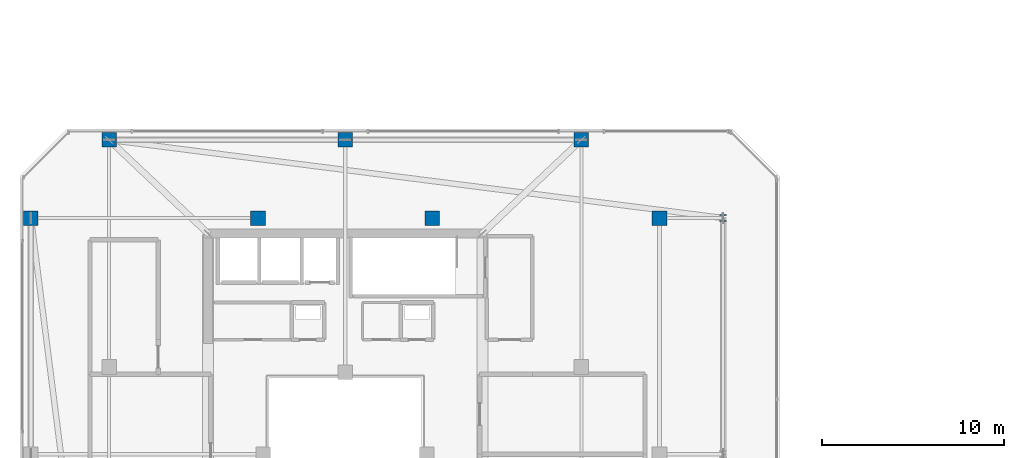
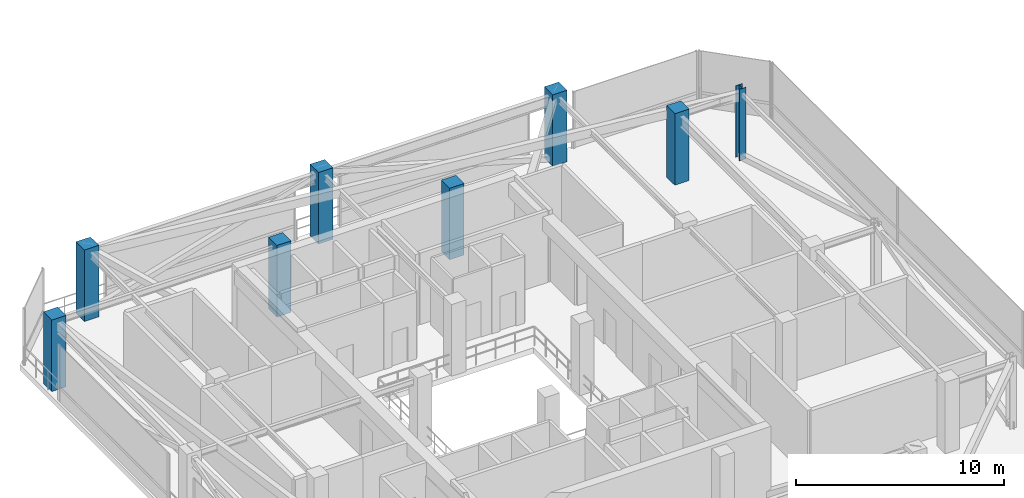
# One storey, part 3 of 47: 8 columns.
"""IFC4 building model written with IfcOpenShell, lengths in metres."""

from ifc_helpers import new_model, si_unit, direction, frame, origin, origin_2d, place, context, subcontext, project, spatial, rectangle, i_section, extrude, material, material_profile, profile_set, type_object, element, save


model = new_model("IFC4")

# Units and contexts
model_context = context("Model", 3, precision=1e-05, world=origin(), true_north=direction((0.0, 1.0)))
body_context = subcontext(model_context, "Body", "Model", "MODEL_VIEW")
ifc_project = project(units=[si_unit("LENGTHUNIT", "METRE"), si_unit("AREAUNIT", "SQUARE_METRE"), si_unit("VOLUMEUNIT", "CUBIC_METRE"), si_unit("PLANEANGLEUNIT", "RADIAN"), si_unit("MASSUNIT", "GRAM", prefix="KILO")], contexts=[model_context])

# Site, building, storey
site_placement = place(None, origin())
site = spatial("IfcSite", under=ifc_project, at=site_placement, CompositionType="ELEMENT")
building_placement = place(site_placement, origin())
building = spatial("IfcBuilding", under=site, at=building_placement, Name="Thornwick Lancets Civic Towers", CompositionType="ELEMENT")
storey_placement = place(building_placement, frame((0.0, 0.0, 279.89990234375)))
storey = spatial("IfcBuildingStorey", under=building, at=storey_placement, Name="C01", CompositionType="ELEMENT", Elevation=279.89990234375)

# Columns
ifc_material_1 = material(Name="Concrete C50/60", Category="concrete")
ifc_material_profile_1 = material_profile(ifc_material_1, rectangle(XDim=0.800048828125, YDim=0.800048828125, at=origin_2d()), Name="RC 800x800")
ifc_profile_set_1 = profile_set([ifc_material_profile_1], Name="Concrete C50/60")
column_type_1 = type_object("IfcColumnType", Name="COL_RC_800", PredefinedType="COLUMN", material=ifc_profile_set_1)
for number, where, z_axis, x_axis, name in (
    (1, (42.800048828125, 40.0, 0.0), (0.0, 0.0, 1.0), (1.0, 0.0, 0.0), "C01 Spine Mega-Column A06"),
    (2, (12.5, 44.300048828125, 0.0), (0.0, 0.0, 1.0), (1.0, 0.0, 0.0), "C01 Spine Mega-Column A07"),
    (3, (25.5, 44.300048828125, 0.0), (0.0, 0.0, 1.0), (1.0, 0.0, 0.0), "C01 Spine Mega-Column A08"),
    (4, (38.5, 44.300048828125, 0.0), (0.0, 0.0, 1.0), (1.0, 0.0, 0.0), "C01 Spine Mega-Column A09"),
    (5, (8.199951171875, 40.0, 0.0), (0.0, 0.0, 1.0), (1.0, 0.0, 0.0), "C01 Spine Mega-Column A12"),
    (6, (20.699951171875, 40.0, 0.0), (0.0, 0.0, 1.0), (1.0, 0.0, 0.0), "C01 Spine Mega-Column A19"),
    (7, (30.300048828125, 40.0, 0.0), (0.0, 0.0, 1.0), (1.0, 0.0, 0.0), "C01 Spine Mega-Column A20"),
):
    element("IfcColumn", number, at=place(storey_placement, frame(where, z_axis=z_axis, x_axis=x_axis)), inside=storey, type_object=column_type_1, Name=name, PredefinedType="COLUMN", context=body_context, shape_type="SweptSolid", body=[
        extrude(rectangle(XDim=0.800048828125, YDim=0.800048828125, at=origin_2d()), origin(), (0.0, 0.0, 1.0), 4.2001953125),
    ])
ifc_material_2 = material(Name="Steel S355JR", Category="steel")
ifc_material_profile_2 = material_profile(ifc_material_2, i_section(OverallWidth=0.374755859375, OverallDepth=0.37451171875, WebThickness=0.0166015625, FlangeThickness=0.027099609375, FilletRadius=0.01513671875, at=origin_2d()), Name="UKC 356x368x202")
ifc_profile_set_2 = profile_set([ifc_material_profile_2], Name="Steel S355JR")
column_type_2 = type_object("IfcColumnType", Name="COL_UKC_202", PredefinedType="COLUMN", material=ifc_profile_set_2)
column_placement = place(storey_placement, frame((46.300048828125, 40.0, 0.0), z_axis=(0.0, 0.0, 1.0), x_axis=(1.0, 0.0, 0.0)))
element("IfcColumn", 8, at=column_placement, inside=storey, type_object=column_type_2, Name="C01 Block Perimeter Column A06", PredefinedType="COLUMN", context=body_context, shape_type="SweptSolid", body=[
    extrude(i_section(OverallWidth=0.374755859375, OverallDepth=0.37451171875, WebThickness=0.0166015625, FlangeThickness=0.027099609375, FilletRadius=0.01513671875, at=origin_2d()), origin(), (0.0, 0.0, 1.0), 4.2001953125),
])

save(model, "model.ifc")
